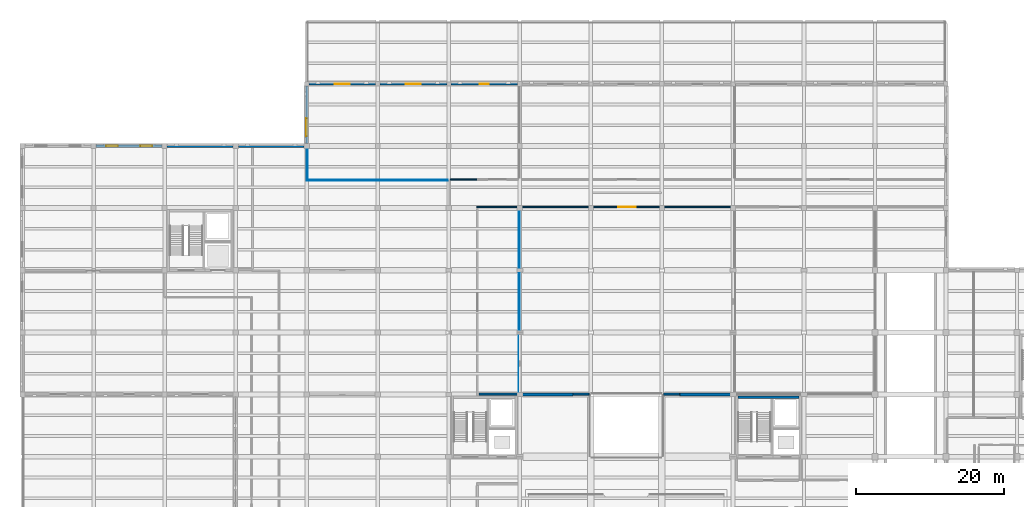
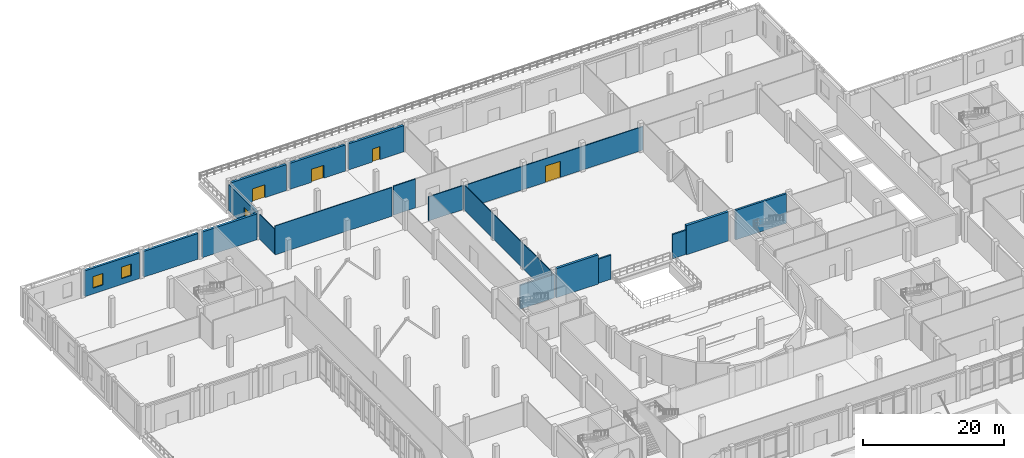
# One storey, part 55 of 71: 19 walls, 4 doors, 3 windows, 7 openings.
"""IFC4 building model written with IfcOpenShell, lengths in metres."""

from ifc_helpers import new_model, si_unit, direction, frame, frame_2d, origin, place, context, subcontext, project, spatial, rectangle, extrude, material, layer, layer_set, type_object, element, fill, save


model = new_model("IFC4")

# Units and contexts
model_context = context("Model", 3, precision=1e-05, world=origin(), true_north=direction((0.0, 1.0)))
body_context = subcontext(model_context, "Body", "Model", "MODEL_VIEW")
ifc_project = project(units=[si_unit("LENGTHUNIT", "METRE"), si_unit("AREAUNIT", "SQUARE_METRE"), si_unit("VOLUMEUNIT", "CUBIC_METRE"), si_unit("PLANEANGLEUNIT", "RADIAN"), si_unit("MASSUNIT", "GRAM", prefix="KILO")], contexts=[model_context])

# Site, building, storey
site_placement = place(None, origin())
site = spatial("IfcSite", under=ifc_project, at=site_placement, CompositionType="ELEMENT")
building_placement = place(site_placement, origin())
building = spatial("IfcBuilding", under=site, at=building_placement, Name="Lornevale Opera House", CompositionType="ELEMENT")
storey_placement = place(building_placement, origin())
storey = spatial("IfcBuildingStorey", under=building, at=storey_placement, Name="L01", CompositionType="ELEMENT", Elevation=0.0)

# Walls
ifc_material_1 = material(Name="Acoustic Mineral-Core Gypsum Partition", Category="gypsum")
ifc_layer_1 = layer(ifc_material_1, 0.25)
ifc_layer_set_1 = layer_set([ifc_layer_1], Name="Acoustic Mineral-Core Gypsum Partition")
wall_type_1 = type_object("IfcWallType", Name="Auditorium Box-in-Box Liner 250", PredefinedType="SOLIDWALL", material=ifc_layer_set_1)
wall_1_placement = place(storey_placement, frame((74.39990234375, 67.260009765625, 0.0), z_axis=(0.0, 0.0, 1.0), x_axis=(1.0, 0.0, 0.0)))
element("IfcWall", 1, at=wall_1_placement, inside=storey, type_object=wall_type_1, Name="L01 Partition WL-INT-0724", PredefinedType="SOLIDWALL", context=body_context, shape_type="SweptSolid", body=[
    extrude(rectangle(XDim=2.18017578125, YDim=0.25, at=frame_2d((1.090087890625, 0.0))), origin(), (0.0, 0.0, 1.0), 4.166015625),
])
wall_2_placement = place(storey_placement, frame((86.6201171875, 67.260009765625, 0.0), z_axis=(0.0, 0.0, 1.0), x_axis=(1.0, 0.0, 0.0)))
element("IfcWall", 2, at=wall_2_placement, inside=storey, type_object=wall_type_1, Name="L01 Partition WL-INT-0725", PredefinedType="SOLIDWALL", context=body_context, shape_type="SweptSolid", body=[
    extrude(rectangle(XDim=2.179931640625, YDim=0.25, at=frame_2d((1.08984375, 0.0))), origin(), (0.0, 0.0, 1.0), 4.166015625),
])
wall_3_placement = place(storey_placement, frame((61.7099609375, 67.260009765625, 0.0), z_axis=(0.0, 0.0, 1.0), x_axis=(1.0, 0.0, 0.0)))
element("IfcWall", 3, at=wall_3_placement, inside=storey, type_object=wall_type_1, Name="L01 Partition WL-INT-0726", PredefinedType="SOLIDWALL", context=body_context, shape_type="SweptSolid", body=[
    extrude(rectangle(XDim=5.630126953125, YDim=0.25, at=frame_2d((2.81494140625, 0.0))), origin(), (0.0, 0.0, 1.0), 4.10009765625),
])
ifc_material_2 = material(Name="Concrete 40 MPa (CSA A23.1 C-1)", Category="concrete")
ifc_layer_2 = layer(ifc_material_2, 0.320068359375)
ifc_layer_set_2 = layer_set([ifc_layer_2], Name="Concrete 40 MPa (CSA A23.1 C-1)")
wall_type_2 = type_object("IfcWallType", Name="Core Shear Wall 320", PredefinedType="SHEAR", material=ifc_layer_set_2)
wall_4_placement = place(storey_placement, frame((104.93994140625, 66.840087890625, 0.0), z_axis=(0.0, 0.0, 1.0), x_axis=(-1.0, 0.0, 0.0)))
element("IfcWall", 4, at=wall_4_placement, inside=storey, type_object=wall_type_2, Name="Stagehouse Firefighter Core West Core Shear Wall 320 WL-COR-0213", PredefinedType="SHEAR", context=body_context, shape_type="SweptSolid", body=[
    extrude(rectangle(XDim=8.280029296875, YDim=0.320068359375, at=frame_2d((4.14013671875, 0.0))), origin(), (0.0, 0.0, 1.0), 5.10009765625),
])

# Wall, opening, door
ifc_layer_3 = layer(ifc_material_1, 0.1650390625)
ifc_layer_set_3 = layer_set([ifc_layer_3], Name="Acoustic Mineral-Core Gypsum Partition")
wall_type_3 = type_object("IfcWallType", Name="Corridor Rated Partition 165", PredefinedType="PARTITIONING", material=ifc_layer_set_3)
wall_5_placement = place(storey_placement, frame((67.0, 92.5400390625, 0.0), z_axis=(0.0, 0.0, 1.0), x_axis=(1.0, 0.0, 0.0)))
wall_5 = element("IfcWall", 5, at=wall_5_placement, inside=storey, type_object=wall_type_3, Name="L01 Partition WL-INT-0666", PredefinedType="PARTITIONING", context=body_context, shape_type="SweptSolid", body=[
    extrude(rectangle(XDim=29.39990234375, YDim=0.1650390625, at=frame_2d((14.699951171875, 0.0))), origin(), (0.0, 0.0, 1.0), 4.070068359375),
])
opening_1_placement = place(wall_5_placement, frame((13.5, 0.0, 0.0)))
opening_1 = element("IfcOpeningElement", 6, at=opening_1_placement, cuts=wall_5, Name="Opening DR-T16", PredefinedType="OPENING", context=body_context, shape_type="SweptSolid", body=[
    extrude(rectangle(XDim=2.39990234375, YDim=2.800048828125, at=frame_2d((1.199951171875, 1.39990234375))), frame((0.0, 0.092529296875, 0.0), z_axis=(0.0, -1.0, 0.0), x_axis=(1.0, 0.0, 0.0)), (0.0, 0.0, 1.0), 0.18505859375),
])
ifc_material_3 = material(Name="Painted Hollow Metal Door Steel", Category="steel")
ifc_layer_4 = layer(ifc_material_3, 2.800048828125)
ifc_layer_set_4 = layer_set([ifc_layer_4], Name="Painted Hollow Metal Door Steel")
door_type_1 = type_object("IfcDoorType", Name="Stage Scenery Double Door 2400x2800", OperationType="NOTDEFINED", PredefinedType="DOOR", material=ifc_layer_set_4)
door_1_placement = place(opening_1_placement, origin())
door_1 = element("IfcDoor", 7, at=door_1_placement, inside=storey, type_object=door_type_1, Name="Main Stage Door", OperationType="DOUBLE_SWING_LEFT", OverallHeight=2.800048828125, OverallWidth=2.39990234375, PredefinedType="DOOR", context=body_context, shape_type="SweptSolid", body=[
    extrude(rectangle(XDim=2.39990234375, YDim=2.800048828125, at=frame_2d((1.199951171875, 1.39990234375))), frame((0.0, 0.02490234375, 0.0), z_axis=(0.0, -1.0, 0.0), x_axis=(1.0, 0.0, 0.0)), (0.0, 0.0, 1.0), 0.050048828125),
])
fill(opening_1, door_1)

# Walls
wall_6_placement = place(storey_placement, frame((61.39990234375, 92.5400390625, 0.0), z_axis=(0.0, 0.0, 1.0), x_axis=(1.0, 0.0, 0.0)))
element("IfcWall", 8, at=wall_6_placement, inside=storey, type_object=wall_type_3, Name="L01 Partition WL-INT-0667", PredefinedType="PARTITIONING", context=body_context, shape_type="SweptSolid", body=[
    extrude(rectangle(XDim=5.60009765625, YDim=0.1650390625, at=frame_2d((2.800048828125, 0.0))), origin(), (0.0, 0.0, 1.0), 4.169921875),
])
wall_7_placement = place(storey_placement, frame((57.800048828125, 96.260009765625, 0.0), z_axis=(0.0, 0.0, 1.0), x_axis=(1.0, 0.0, 0.0)))
element("IfcWall", 9, at=wall_7_placement, inside=storey, type_object=wall_type_3, Name="L01 Partition WL-INT-0674", PredefinedType="PARTITIONING", context=body_context, shape_type="SweptSolid", body=[
    extrude(rectangle(XDim=3.599853515625, YDim=0.1650390625, at=frame_2d((1.7998046875, 0.0))), origin(), (0.0, 0.0, 1.0), 4.989990234375),
])
ifc_layer_5 = layer(ifc_material_1, 0.125)
ifc_layer_set_5 = layer_set([ifc_layer_5], Name="Acoustic Mineral-Core Gypsum Partition")
wall_type_4 = type_object("IfcWallType", Name="Dressing Suite Partition 125", PredefinedType="PARTITIONING", material=ifc_layer_set_5)
wall_8_placement = place(storey_placement, frame((67.139892578125, 67.510009765625, 0.0), z_axis=(0.0, 0.0, 1.0), x_axis=(0.0, 1.0, 0.0)))
element("IfcWall", 10, at=wall_8_placement, inside=storey, type_object=wall_type_4, Name="L01 Partition WL-INT-0730", PredefinedType="PARTITIONING", context=body_context, shape_type="SweptSolid", body=[
    extrude(rectangle(XDim=24.780029296875, YDim=0.125, at=frame_2d((12.39013671875, 0.0))), origin(), (0.0, 0.0, 1.0), 4.320068359375),
])
wall_9_placement = place(storey_placement, frame((38.4599609375, 96.199951171875, 0.0), z_axis=(0.0, 0.0, 1.0), x_axis=(0.0, 1.0, 0.0)))
element("IfcWall", 11, at=wall_9_placement, inside=storey, type_object=wall_type_4, Name="L01 Partition WL-INT-0741", PredefinedType="PARTITIONING", context=body_context, shape_type="SweptSolid", body=[
    extrude(rectangle(XDim=4.380126953125, YDim=0.125, at=frame_2d((2.18994140625, 0.0))), origin(), (0.0, 0.0, 1.0), 4.35009765625),
])
wall_10_placement = place(storey_placement, frame((38.39990234375, 96.139892578125, 0.0), z_axis=(0.0, 0.0, 1.0), x_axis=(1.0, 0.0, 0.0)))
element("IfcWall", 12, at=wall_10_placement, inside=storey, type_object=wall_type_4, Name="L01 Partition WL-INT-0742", PredefinedType="PARTITIONING", context=body_context, shape_type="SweptSolid", body=[
    extrude(rectangle(XDim=19.090087890625, YDim=0.125, at=frame_2d((9.544921875, 0.0))), origin(), (0.0, 0.0, 1.0), 4.989990234375),
])
ifc_layer_6 = layer(ifc_material_2, 0.39990234375)
ifc_layer_set_6 = layer_set([ifc_layer_6], Name="Concrete 40 MPa (CSA A23.1 C-1)")
wall_type_5 = type_object("IfcWallType", Name="Proscenium Fire Wall 400", PredefinedType="SOLIDWALL", material=ifc_layer_set_6)
for number, where, z_axis, x_axis, name in (
    (13, (67.550048828125, 67.199951171875, 0.0), (0.0, 0.0, 1.0), (1.0, 0.0, 0.0), "Proscenium Fire Wall L01 0366"),
    (14, (88.800048828125, 67.199951171875, 0.0), (0.0, 0.0, 1.0), (1.0, 0.0, 0.0), "Proscenium Fire Wall L01 0367"),
):
    element("IfcWall", number, at=place(storey_placement, frame(where, z_axis=z_axis, x_axis=x_axis)), inside=storey, type_object=wall_type_5, Name=name, PredefinedType="SOLIDWALL", context=body_context, shape_type="SweptSolid", body=[
        extrude(rectangle(XDim=6.849853515625, YDim=0.39990234375, at=frame_2d((3.4248046875, 0.0))), origin(), (0.0, 0.0, 1.0), 5.0400390625),
    ])

# Wall, openings, windows
ifc_material_4 = material(Name="Credit Valley Sandstone Ashlar Masonry (25 MPa)", Category="masonry")
ifc_layer_7 = layer(ifc_material_4, 0.3798828125)
ifc_layer_set_7 = layer_set([ifc_layer_7], Name="Credit Valley Sandstone Ashlar Masonry (25 MPa)")
wall_type_6 = type_object("IfcWallType", Name="Sandstone Plinth Bearing Wall 380", PredefinedType="SOLIDWALL", material=ifc_layer_set_7)
wall_11_placement = place(storey_placement, frame((9.949951171875, 100.800048828125, 0.0), z_axis=(0.0, 0.0, 1.0), x_axis=(1.0, 0.0, 0.0)))
wall_11 = element("IfcWall", 15, at=wall_11_placement, inside=storey, type_object=wall_type_6, Name="Sandstone Plinth Bearing Wall 380 WL-EXT-0149", PredefinedType="SOLIDWALL", context=body_context, shape_type="SweptSolid", body=[
    extrude(rectangle(XDim=8.900146484375, YDim=0.3798828125, at=frame_2d((4.4501953125, 0.0))), origin(), (0.0, 0.0, 1.0), 4.449951171875),
])
opening_2_placement = place(wall_11_placement, frame((1.3359375, 0.0, 1.0)))
opening_2 = element("IfcOpeningElement", 16, at=opening_2_placement, cuts=wall_11, Name="Opening WN-T07", PredefinedType="OPENING", context=body_context, shape_type="SweptSolid", body=[
    extrude(rectangle(XDim=1.60009765625, YDim=2.0, at=frame_2d((0.800048828125, 1.0))), frame((0.0, 0.199951171875, 0.0), z_axis=(0.0, -1.0, 0.0), x_axis=(1.0, 0.0, 0.0)), (0.0, 0.0, 1.0), 0.39990234375),
])
opening_3_placement = place(wall_11_placement, frame((5.964111328125, 0.0, 1.0)))
opening_3 = element("IfcOpeningElement", 17, at=opening_3_placement, cuts=wall_11, Name="Opening WN-T07", PredefinedType="OPENING", context=body_context, shape_type="SweptSolid", body=[
    extrude(rectangle(XDim=1.60009765625, YDim=2.0, at=frame_2d((0.800048828125, 1.0))), frame((0.0, 0.199951171875, 0.0), z_axis=(0.0, -1.0, 0.0), x_axis=(1.0, 0.0, 0.0)), (0.0, 0.0, 1.0), 0.39990234375),
])
ifc_material_5 = material(Name="Triple Low-E Insulated Glazing", Category="glass")
ifc_layer_8 = layer(ifc_material_5, 0.06005859375)
ifc_layer_set_8 = layer_set([ifc_layer_8], Name="Triple Low-E Insulated Glazing")
window_type_1 = type_object("IfcWindowType", Name="Practice Studio Acoustic Window 1600x2000", PartitioningType="NOTDEFINED", PredefinedType="WINDOW", material=ifc_layer_set_8)
window_1_placement = place(opening_2_placement, origin())
window_1 = element("IfcWindow", 18, at=window_1_placement, inside=storey, type_object=window_type_1, Name="Practice Studio Acoustic Window 1600x2000 WN-0017", OverallHeight=2.0, OverallWidth=1.60009765625, PartitioningType="SINGLE_PANEL", PredefinedType="WINDOW", context=body_context, shape_type="SweptSolid", body=[
    extrude(rectangle(XDim=1.60009765625, YDim=2.0, at=frame_2d((0.800048828125, 1.0))), frame((0.0, 0.030029296875, 0.0), z_axis=(0.0, -1.0, 0.0), x_axis=(1.0, 0.0, 0.0)), (0.0, 0.0, 1.0), 0.06005859375),
])
fill(opening_2, window_1)
window_2_placement = place(opening_3_placement, origin())
window_2 = element("IfcWindow", 19, at=window_2_placement, inside=storey, type_object=window_type_1, Name="Practice Studio Acoustic Window 1600x2000 WN-0018", OverallHeight=2.0, OverallWidth=1.60009765625, PartitioningType="SINGLE_PANEL", PredefinedType="WINDOW", context=body_context, shape_type="SweptSolid", body=[
    extrude(rectangle(XDim=1.60009765625, YDim=2.0, at=frame_2d((0.800048828125, 1.0))), frame((0.0, 0.030029296875, 0.0), z_axis=(0.0, -1.0, 0.0), x_axis=(1.0, 0.0, 0.0)), (0.0, 0.0, 1.0), 0.06005859375),
])
fill(opening_3, window_2)

# Walls
wall_12_placement = place(storey_placement, frame((19.550048828125, 100.800048828125, 0.0), z_axis=(0.0, 0.0, 1.0), x_axis=(1.0, 0.0, 0.0)))
element("IfcWall", 20, at=wall_12_placement, inside=storey, type_object=wall_type_6, Name="Sandstone Plinth Bearing Wall 380 WL-EXT-0153", PredefinedType="SOLIDWALL", context=body_context, shape_type="SweptSolid", body=[
    extrude(rectangle(XDim=8.89990234375, YDim=0.3798828125, at=frame_2d((4.449951171875, 0.0))), origin(), (0.0, 0.0, 1.0), 4.449951171875),
])
wall_13_placement = place(storey_placement, frame((29.14990234375, 100.800048828125, 0.0), z_axis=(0.0, 0.0, 1.0), x_axis=(1.0, 0.0, 0.0)))
element("IfcWall", 21, at=wall_13_placement, inside=storey, type_object=wall_type_6, Name="Sandstone Plinth Bearing Wall 380 WL-EXT-0157", PredefinedType="SOLIDWALL", context=body_context, shape_type="SweptSolid", body=[
    extrude(rectangle(XDim=8.900146484375, YDim=0.3798828125, at=frame_2d((4.4501953125, 0.0))), origin(), (0.0, 0.0, 1.0), 4.449951171875),
])

# Wall, opening, door
wall_14_placement = place(storey_placement, frame((38.675048828125, 109.199951171875, 0.0), z_axis=(0.0, 0.0, 1.0), x_axis=(1.0, 0.0, 0.0)))
wall_14 = element("IfcWall", 22, at=wall_14_placement, inside=storey, type_object=wall_type_6, Name="Sandstone Plinth Bearing Wall 380 WL-EXT-0159", PredefinedType="SOLIDWALL", context=body_context, shape_type="SweptSolid", body=[
    extrude(rectangle(XDim=9.02490234375, YDim=0.3798828125, at=frame_2d((4.512451171875, 0.0))), origin(), (0.0, 0.0, 1.0), 4.510009765625),
])
opening_4_placement = place(wall_14_placement, frame((3.512939453125, 0.0, 0.0)))
opening_4 = element("IfcOpeningElement", 23, at=opening_4_placement, cuts=wall_14, Name="Opening DR-T06", PredefinedType="OPENING", context=body_context, shape_type="SweptSolid", body=[
    extrude(rectangle(XDim=2.0, YDim=2.25, at=frame_2d((1.0, 1.125))), frame((0.0, 0.199951171875, 0.0), z_axis=(0.0, -1.0, 0.0), x_axis=(1.0, 0.0, 0.0)), (0.0, 0.0, 1.0), 0.39990234375),
])
ifc_layer_9 = layer(ifc_material_3, 0.050048828125)
ifc_layer_set_9 = layer_set([ifc_layer_9], Name="Painted Hollow Metal Door Steel")
door_type_2 = type_object("IfcDoorType", Name="Exterior Paired Exit Door 2000x2250", OperationType="NOTDEFINED", PredefinedType="DOOR", material=ifc_layer_set_9)
door_2_placement = place(opening_4_placement, origin())
door_2 = element("IfcDoor", 24, at=door_2_placement, inside=storey, type_object=door_type_2, Name="Exterior Paired Exit Door 2000x2250 DR-EXT-015", OperationType="DOUBLE_DOOR_SINGLE_SWING", OverallHeight=2.25, OverallWidth=2.0, PredefinedType="DOOR", context=body_context, shape_type="SweptSolid", body=[
    extrude(rectangle(XDim=2.0, YDim=2.25, at=frame_2d((1.0, 1.125))), frame((0.0, 0.02490234375, 0.0), z_axis=(0.0, -1.0, 0.0), x_axis=(1.0, 0.0, 0.0)), (0.0, 0.0, 1.0), 0.050048828125),
])
fill(opening_4, door_2)

# Wall, opening, window
wall_15_placement = place(storey_placement, frame((38.39990234375, 101.14990234375, 0.0), z_axis=(0.0, 0.0, 1.0), x_axis=(0.0, 1.0, 0.0)))
wall_15 = element("IfcWall", 25, at=wall_15_placement, inside=storey, type_object=wall_type_6, Name="Sandstone Plinth Bearing Wall 380 WL-EXT-0160", PredefinedType="SOLIDWALL", context=body_context, shape_type="SweptSolid", body=[
    extrude(rectangle(XDim=7.775146484375, YDim=0.3798828125, at=frame_2d((3.8876953125, 0.0))), origin(), (0.0, 0.0, 1.0), 4.449951171875),
])
opening_5_placement = place(wall_15_placement, frame((0.97705078125, 0.0, 0.949951171875)))
opening_5 = element("IfcOpeningElement", 26, at=opening_5_placement, cuts=wall_15, Name="Opening WN-T08", PredefinedType="OPENING", context=body_context, shape_type="SweptSolid", body=[
    extrude(rectangle(XDim=2.39990234375, YDim=2.199951171875, at=frame_2d((1.199951171875, 1.10009765625))), frame((0.0, 0.199951171875, 0.0), z_axis=(0.0, -1.0, 0.0), x_axis=(1.0, 0.0, 0.0)), (0.0, 0.0, 1.0), 0.39990234375),
])
ifc_layer_10 = layer(ifc_material_5, 0.06005859375)
ifc_layer_set_10 = layer_set([ifc_layer_10], Name="Triple Low-E Insulated Glazing")
window_type_2 = type_object("IfcWindowType", Name="Conservatory Window 2400x2200", PartitioningType="NOTDEFINED", PredefinedType="WINDOW", material=ifc_layer_set_10)
window_3_placement = place(opening_5_placement, origin())
window_3 = element("IfcWindow", 27, at=window_3_placement, inside=storey, type_object=window_type_2, Name="Conservatory Window 2400x2200 WN-0022", OverallHeight=2.199951171875, OverallWidth=2.39990234375, PartitioningType="SINGLE_PANEL", PredefinedType="WINDOW", context=body_context, shape_type="SweptSolid", body=[
    extrude(rectangle(XDim=2.39990234375, YDim=2.199951171875, at=frame_2d((1.199951171875, 1.10009765625))), frame((0.0, 0.030029296875, 0.0), z_axis=(0.0, -1.0, 0.0), x_axis=(1.0, 0.0, 0.0)), (0.0, 0.0, 1.0), 0.06005859375),
])
fill(opening_5, window_3)

# Wall, opening, door
wall_16_placement = place(storey_placement, frame((48.300048828125, 109.199951171875, 0.0), z_axis=(0.0, 0.0, 1.0), x_axis=(1.0, 0.0, 0.0)))
wall_16 = element("IfcWall", 28, at=wall_16_placement, inside=storey, type_object=wall_type_6, Name="Sandstone Plinth Bearing Wall 380 WL-EXT-0161", PredefinedType="SOLIDWALL", context=body_context, shape_type="SweptSolid", body=[
    extrude(rectangle(XDim=9.02490234375, YDim=0.3798828125, at=frame_2d((4.512451171875, 0.0))), origin(), (0.0, 0.0, 1.0), 4.510009765625),
])
opening_6_placement = place(wall_16_placement, frame((3.512939453125, 0.0, 0.0)))
opening_6 = element("IfcOpeningElement", 29, at=opening_6_placement, cuts=wall_16, Name="Opening DR-T06", PredefinedType="OPENING", context=body_context, shape_type="SweptSolid", body=[
    extrude(rectangle(XDim=2.0, YDim=2.25, at=frame_2d((1.0, 1.125))), frame((0.0, 0.199951171875, 0.0), z_axis=(0.0, -1.0, 0.0), x_axis=(1.0, 0.0, 0.0)), (0.0, 0.0, 1.0), 0.39990234375),
])
door_3_placement = place(opening_6_placement, origin())
door_3 = element("IfcDoor", 30, at=door_3_placement, inside=storey, type_object=door_type_2, Name="Exterior Paired Exit Door 2000x2250 DR-EXT-016", OperationType="DOUBLE_DOOR_SINGLE_SWING", OverallHeight=2.25, OverallWidth=2.0, PredefinedType="DOOR", context=body_context, shape_type="SweptSolid", body=[
    extrude(rectangle(XDim=2.0, YDim=2.25, at=frame_2d((1.0, 1.125))), frame((0.0, 0.02490234375, 0.0), z_axis=(0.0, -1.0, 0.0), x_axis=(1.0, 0.0, 0.0)), (0.0, 0.0, 1.0), 0.050048828125),
])
fill(opening_6, door_3)

wall_17_placement = place(storey_placement, frame((57.875, 109.199951171875, 0.0), z_axis=(0.0, 0.0, 1.0), x_axis=(1.0, 0.0, 0.0)))
wall_17 = element("IfcWall", 31, at=wall_17_placement, inside=storey, type_object=wall_type_6, Name="Sandstone Plinth Bearing Wall 380 WL-EXT-0163", PredefinedType="SOLIDWALL", context=body_context, shape_type="SweptSolid", body=[
    extrude(rectangle(XDim=9.02490234375, YDim=0.3798828125, at=frame_2d((4.512451171875, 0.0))), origin(), (0.0, 0.0, 1.0), 4.510009765625),
])
opening_7_placement = place(wall_17_placement, frame((3.903076171875, 0.0, 0.0)))
opening_7 = element("IfcOpeningElement", 32, at=opening_7_placement, cuts=wall_17, Name="Opening DR-T05", PredefinedType="OPENING", context=body_context, shape_type="SweptSolid", body=[
    extrude(rectangle(XDim=1.219970703125, YDim=2.25, at=frame_2d((0.60986328125, 1.125))), frame((0.0, 0.199951171875, 0.0), z_axis=(0.0, -1.0, 0.0), x_axis=(1.0, 0.0, 0.0)), (0.0, 0.0, 1.0), 0.39990234375),
])
ifc_layer_11 = layer(ifc_material_3, 0.050048828125)
ifc_layer_set_11 = layer_set([ifc_layer_11], Name="Painted Hollow Metal Door Steel")
door_type_3 = type_object("IfcDoorType", Name="Exterior Final Exit Door 1220x2250", OperationType="NOTDEFINED", PredefinedType="DOOR", material=ifc_layer_set_11)
door_4_placement = place(opening_7_placement, origin())
door_4 = element("IfcDoor", 33, at=door_4_placement, inside=storey, type_object=door_type_3, Name="Exterior Final Exit Door 1220x2250 DR-EXT-018", OperationType="SINGLE_SWING_RIGHT", OverallHeight=2.25, OverallWidth=1.219970703125, PredefinedType="DOOR", context=body_context, shape_type="SweptSolid", body=[
    extrude(rectangle(XDim=1.219970703125, YDim=2.25, at=frame_2d((0.60986328125, 1.125))), frame((0.0, 0.02490234375, 0.0), z_axis=(0.0, -1.0, 0.0), x_axis=(1.0, 0.0, 0.0)), (0.0, 0.0, 1.0), 0.050048828125),
])
fill(opening_7, door_4)

save(model, "model.ifc")
